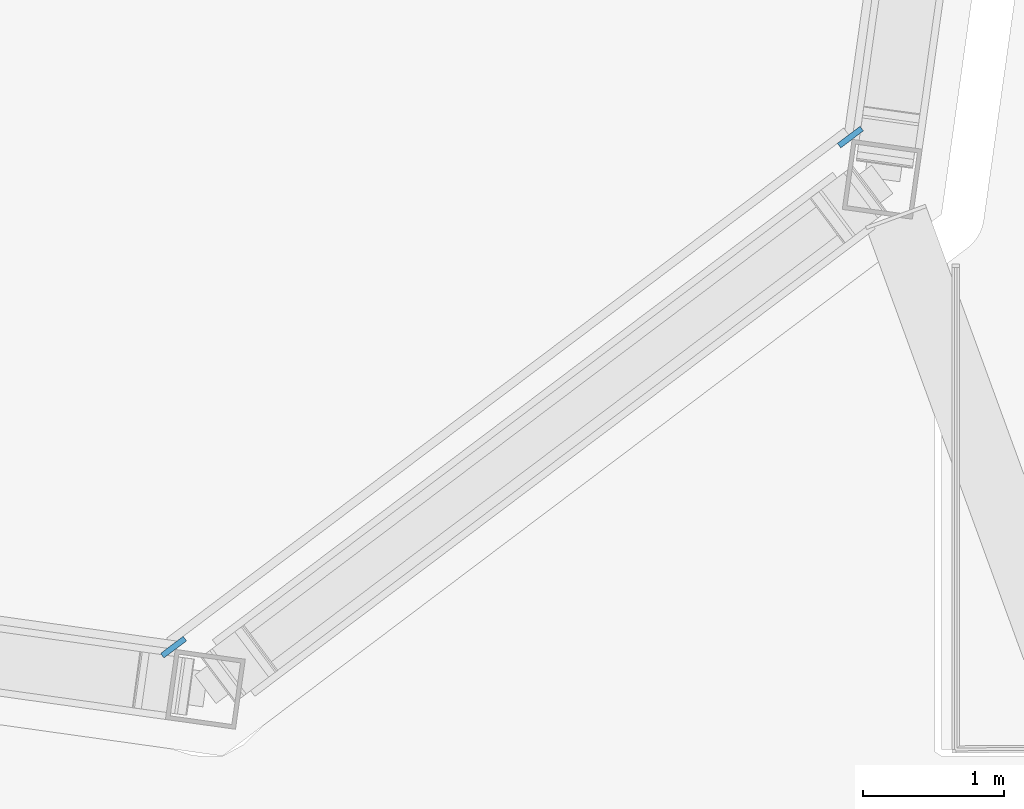
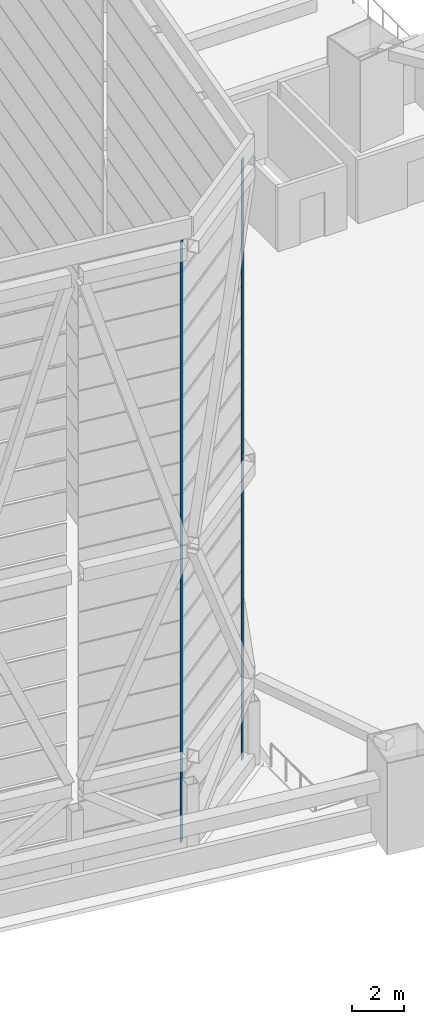
# One storey, part 23 of 45: 2 discrete accessories.
"""IFC4 building model written with IfcOpenShell, lengths in metres."""

from ifc_helpers import new_model, si_unit, direction, frame, origin, origin_2d, place, context, subcontext, project, spatial, rectangle, extrude, material, layer, layer_set, type_object, element, save


model = new_model("IFC4")

# Units and contexts
model_context = context("Model", 3, precision=1e-05, world=origin(), true_north=direction((0.0, 1.0)))
body_context = subcontext(model_context, "Body", "Model", "MODEL_VIEW")
ifc_project = project(units=[si_unit("LENGTHUNIT", "METRE"), si_unit("AREAUNIT", "SQUARE_METRE"), si_unit("VOLUMEUNIT", "CUBIC_METRE"), si_unit("PLANEANGLEUNIT", "RADIAN"), si_unit("MASSUNIT", "GRAM", prefix="KILO")], contexts=[model_context])

# Site, building, storey
site_placement = place(None, origin())
site = spatial("IfcSite", under=ifc_project, at=site_placement, CompositionType="ELEMENT")
building_placement = place(site_placement, origin())
building = spatial("IfcBuilding", under=site, at=building_placement, Name="Mirante Cascada Hotel Towers", CompositionType="ELEMENT")
storey_placement = place(building_placement, frame((0.0, 0.0, 269.8)))
storey = spatial("IfcBuildingStorey", under=building, at=storey_placement, Name="Roof garden", CompositionType="ELEMENT", Elevation=269.8)

# Discrete accessories
ifc_material = material(Name="Stainless steel AISI 316", Category="steel")
ifc_layer = layer(ifc_material, 0.04)
ifc_layer_set = layer_set([ifc_layer], Name="Support bracket 200x40")
discrete_accessory_type = type_object("IfcDiscreteAccessoryType", Name="Support bracket 200x40", PredefinedType="BRACKET", material=ifc_layer_set)
for number, where, z_axis, x_axis, name in (
    (1, (-21.7166, -21.6297, 0.05), (0.0, 0.0, 1.0), (0.7986355, 0.601815, 0.0), "Louvre support bracket T1"),
    (2, (-16.9319, -18.0241, 0.05), (0.0, 0.0, 1.0), (0.7986355, 0.601815, 0.0), "Louvre support bracket T1"),
):
    element("IfcDiscreteAccessory", number, at=place(storey_placement, frame(where, z_axis=z_axis, x_axis=x_axis)), inside=storey, type_object=discrete_accessory_type, Name=name, PredefinedType="BRACKET", context=body_context, shape_type="SweptSolid", body=[
        extrude(rectangle(XDim=0.2, YDim=0.04, at=origin_2d()), origin(), (0.0, 0.0, 1.0), 28.2),
    ])

save(model, "model.ifc")
